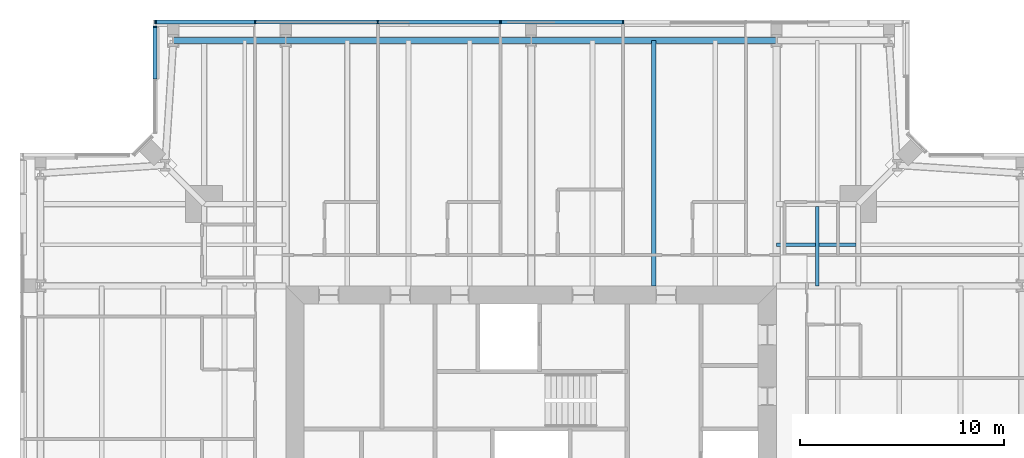
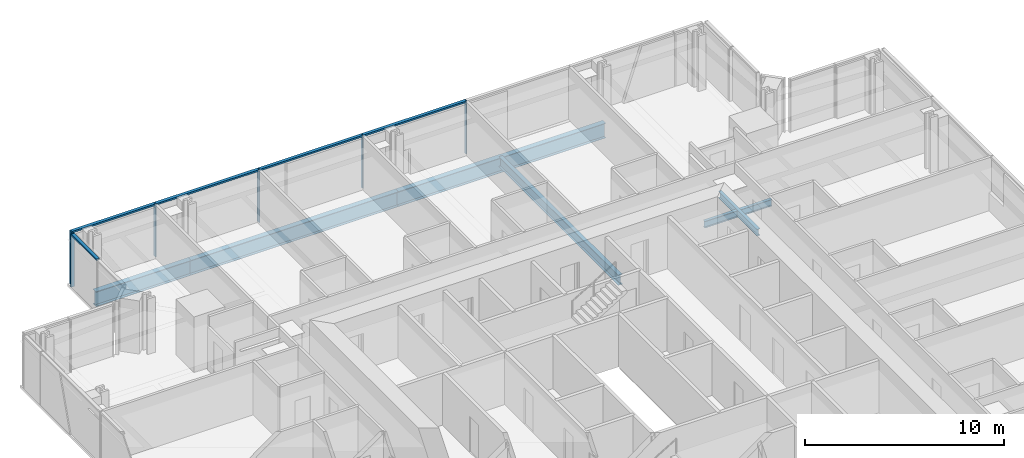
# One storey, part 8 of 20: 11 members, 7 beams, 2 elements without a shape of their own.
"""IFC4 building model written with IfcOpenShell, lengths in metres."""

from ifc_helpers import new_model, si_unit, direction, frame, origin, origin_2d, place, context, subcontext, project, spatial, rectangle, i_section, extrude, material, material_profile, profile_set, type_object, element, aggregate, save


model = new_model("IFC4")

# Units and contexts
model_context = context("Model", 3, precision=1e-05, world=origin(), true_north=direction((0.0, 1.0)))
body_context = subcontext(model_context, "Body", "Model", "MODEL_VIEW")
ifc_project = project(units=[si_unit("LENGTHUNIT", "METRE"), si_unit("AREAUNIT", "SQUARE_METRE"), si_unit("VOLUMEUNIT", "CUBIC_METRE"), si_unit("PLANEANGLEUNIT", "RADIAN"), si_unit("MASSUNIT", "GRAM", prefix="KILO")], contexts=[model_context])

# Site, building, storey
site_placement = place(None, origin())
site = spatial("IfcSite", under=ifc_project, at=site_placement, CompositionType="ELEMENT")
building_placement = place(site_placement, origin())
building = spatial("IfcBuilding", under=site, at=building_placement, Name="Fenwick Lantern Interchange", CompositionType="ELEMENT")
storey_placement = place(building_placement, frame((0.0, 0.0, 249.199951171875)))
storey = spatial("IfcBuildingStorey", under=building, at=storey_placement, Name="L58", CompositionType="ELEMENT", Elevation=249.199951171875)

# Beams
ifc_material_1 = material(Name="Steel ASTM A992 Grade 50", Category="steel")
ifc_material_profile_1 = material_profile(ifc_material_1, i_section(OverallWidth=0.3046875, OverallDepth=0.911865234375, WebThickness=0.015869140625, FlangeThickness=0.02392578125, at=origin_2d()), Name="W36X150")
ifc_profile_set_1 = profile_set([ifc_material_profile_1], Name="Steel ASTM A992 Grade 50")
beam_type_1 = type_object("IfcBeamType", Name="EDGE BEAM W36X150", PredefinedType="SPANDREL", material=ifc_profile_set_1)
for number, where, z_axis, x_axis, name in (
    (1, (37.0, 49.0, -0.60595703125), (-1.0, 0.0, 0.0), (0.0, -1.0, 0.0), "L58/FR/N/EB2"),
    (2, (25.0, 49.0, -0.60595703125), (-1.0, 0.0, 0.0), (0.0, -1.0, 0.0), "L58/FR/N/EB3"),
):
    element("IfcBeam", number, at=place(storey_placement, frame(where, z_axis=z_axis, x_axis=x_axis)), inside=storey, type_object=beam_type_1, Name=name, PredefinedType="SPANDREL", context=body_context, shape_type="SweptSolid", body=[
        extrude(i_section(OverallWidth=0.3046875, OverallDepth=0.911865234375, WebThickness=0.015869140625, FlangeThickness=0.02392578125, at=origin_2d()), origin(), (0.0, 0.0, 1.0), 12.0),
    ])
beam_1_placement = place(storey_placement, frame((13.0, 49.0, -0.60595703125), z_axis=(-1.0, 0.0, 0.0), x_axis=(0.0, -1.0, 0.0)))
element("IfcBeam", 3, at=beam_1_placement, inside=storey, type_object=beam_type_1, Name="L58/FR/N/EB4", PredefinedType="SPANDREL", context=body_context, shape_type="SweptSolid", body=[
    extrude(i_section(OverallWidth=0.3046875, OverallDepth=0.911865234375, WebThickness=0.015869140625, FlangeThickness=0.02392578125, at=origin_2d()), origin(), (0.0, 0.0, 1.0), 5.5),
])
ifc_material_profile_2 = material_profile(ifc_material_1, i_section(OverallWidth=0.22900390625, OverallDepth=0.612060546875, WebThickness=0.011962890625, FlangeThickness=0.01953125, at=origin_2d()), Name="W24X84")
ifc_profile_set_2 = profile_set([ifc_material_profile_2], Name="Steel ASTM A992 Grade 50")
beam_type_2 = type_object("IfcBeamType", Name="FLOOR BEAM W24X84", PredefinedType="BEAM", material=ifc_profile_set_2)
beam_2_placement = place(storey_placement, frame((31.0, 49.0, -0.4560546875), z_axis=(0.0, -1.0, 0.0), x_axis=(1.0, 0.0, 0.0)))
element("IfcBeam", 4, at=beam_2_placement, inside=storey, type_object=beam_type_2, Name="L58/FR/N/R03", PredefinedType="BEAM", context=body_context, shape_type="SweptSolid", body=[
    extrude(i_section(OverallWidth=0.22900390625, OverallDepth=0.612060546875, WebThickness=0.011962890625, FlangeThickness=0.01953125, at=origin_2d()), origin(), (0.0, 0.0, 1.0), 12.0),
])

# Curtain wall, members
ifc_material_2 = material(Name="Aluminium curtain wall frame", Category="aluminium")
curtain_wall_type = type_object("IfcCurtainWallType", Name="HOTEL CURTAIN WALL", PredefinedType="USERDEFINED", material=ifc_material_2)
curtain_wall_1_placement = place(storey_placement, origin())
curtain_wall_1 = element("IfcCurtainWall", 5, at=curtain_wall_1_placement, inside=storey, type_object=curtain_wall_type, Name="Hotel curtain wall 09", ObjectType="HOTEL CURTAIN WALL", PredefinedType="USERDEFINED")
ifc_material_3 = material(Name="Aluminium extrusion", Category="aluminium")
ifc_material_profile_3 = material_profile(ifc_material_3, rectangle(XDim=0.179931640625, YDim=0.06005859375, at=origin_2d()), Name="HOTEL CURTAIN WALL MULLION 60 X 180")
ifc_profile_set_3 = profile_set([ifc_material_profile_3], Name="Aluminium extrusion")
member_type_1 = type_object("IfcMemberType", Name="HOTEL CURTAIN WALL MULLION 60 X 180", PredefinedType="MULLION", material=ifc_profile_set_3)
member_1_placement = place(storey_placement, frame((29.5, 49.89990234375, 0.0), z_axis=(0.0, 0.0, 1.0), x_axis=(0.0, -1.0, 0.0)))
member_1 = element("IfcMember", 6, at=member_1_placement, type_object=member_type_1, Name="L58/CW/09/M03", PredefinedType="MULLION", context=body_context, shape_type="SweptSolid", body=[
    extrude(rectangle(XDim=0.179931640625, YDim=0.06005859375, at=origin_2d()), origin(), (0.0, 0.0, 1.0), 3.25),
])
member_2_placement = place(storey_placement, frame((23.5, 49.89990234375, 0.0), z_axis=(0.0, 0.0, 1.0), x_axis=(0.0, -1.0, 0.0)))
member_2 = element("IfcMember", 7, at=member_2_placement, type_object=member_type_1, Name="L58/CW/09/M04", PredefinedType="MULLION", context=body_context, shape_type="SweptSolid", body=[
    extrude(rectangle(XDim=0.179931640625, YDim=0.06005859375, at=origin_2d()), origin(), (0.0, 0.0, 1.0), 3.25),
])
member_3_placement = place(storey_placement, frame((17.5, 49.89990234375, 0.0), z_axis=(0.0, 0.0, 1.0), x_axis=(0.0, -1.0, 0.0)))
member_3 = element("IfcMember", 8, at=member_3_placement, type_object=member_type_1, Name="L58/CW/09/M05", PredefinedType="MULLION", context=body_context, shape_type="SweptSolid", body=[
    extrude(rectangle(XDim=0.179931640625, YDim=0.06005859375, at=origin_2d()), origin(), (0.0, 0.0, 1.0), 3.25),
])
member_4_placement = place(storey_placement, frame((11.5, 49.89990234375, 0.0), z_axis=(0.0, 0.0, 1.0), x_axis=(0.0, -1.0, 0.0)))
member_4 = element("IfcMember", 9, at=member_4_placement, type_object=member_type_1, Name="L58/CW/09/M06", PredefinedType="MULLION", context=body_context, shape_type="SweptSolid", body=[
    extrude(rectangle(XDim=0.179931640625, YDim=0.06005859375, at=origin_2d()), origin(), (0.0, 0.0, 1.0), 3.25),
])
member_5_placement = place(storey_placement, frame((6.6298828125, 49.89990234375, 0.0), z_axis=(0.0, 0.0, 1.0), x_axis=(0.0, -1.0, 0.0)))
member_5 = element("IfcMember", 10, at=member_5_placement, type_object=member_type_1, Name="L58/CW/09/M07", PredefinedType="MULLION", context=body_context, shape_type="SweptSolid", body=[
    extrude(rectangle(XDim=0.179931640625, YDim=0.06005859375, at=origin_2d()), origin(), (0.0, 0.0, 1.0), 3.25),
])

# Curtain wall, member
curtain_wall_2_placement = place(storey_placement, origin())
curtain_wall_2 = element("IfcCurtainWall", 11, at=curtain_wall_2_placement, inside=storey, type_object=curtain_wall_type, Name="Hotel curtain wall 10", ObjectType="HOTEL CURTAIN WALL", PredefinedType="USERDEFINED")
member_6_placement = place(storey_placement, frame((6.60009765625, 49.669921875, 0.0), z_axis=(0.0, 0.0, 1.0), x_axis=(1.0, 0.0, 0.0)))
member_6 = element("IfcMember", 12, at=member_6_placement, type_object=member_type_1, Name="L58/CW/10/M00", PredefinedType="MULLION", context=body_context, shape_type="SweptSolid", body=[
    extrude(rectangle(XDim=0.179931640625, YDim=0.06005859375, at=origin_2d()), origin(), (0.0, 0.0, 1.0), 3.25),
])

# Member
ifc_material_profile_4 = material_profile(ifc_material_3, rectangle(XDim=0.179931640625, YDim=0.10009765625, at=origin_2d()), Name="HOTEL CURTAIN WALL TRANSOM 100 X 180")
ifc_profile_set_4 = profile_set([ifc_material_profile_4], Name="Aluminium extrusion")
member_type_2 = type_object("IfcMemberType", Name="HOTEL CURTAIN WALL TRANSOM 100 X 180", PredefinedType="MULLION", material=ifc_profile_set_4)
member_7_placement = place(storey_placement, frame((29.469970703125, 49.89990234375, 3.199951171875), z_axis=(-1.0, 0.0, 0.0), x_axis=(0.0, -1.0, 0.0)))
member_7 = element("IfcMember", 13, at=member_7_placement, type_object=member_type_2, Name="L58/CW/09/T03", PredefinedType="MULLION", context=body_context, shape_type="SweptSolid", body=[
    extrude(rectangle(XDim=0.179931640625, YDim=0.10009765625, at=origin_2d()), origin(), (0.0, 0.0, 1.0), 5.93994140625),
])

member_8_placement = place(storey_placement, frame((23.469970703125, 49.89990234375, 3.199951171875), z_axis=(-1.0, 0.0, 0.0), x_axis=(0.0, -1.0, 0.0)))
member_8 = element("IfcMember", 14, at=member_8_placement, type_object=member_type_2, Name="L58/CW/09/T04", PredefinedType="MULLION", context=body_context, shape_type="SweptSolid", body=[
    extrude(rectangle(XDim=0.179931640625, YDim=0.10009765625, at=origin_2d()), origin(), (0.0, 0.0, 1.0), 5.93994140625),
])

member_9_placement = place(storey_placement, frame((17.469970703125, 49.89990234375, 3.199951171875), z_axis=(-1.0, 0.0, 0.0), x_axis=(0.0, -1.0, 0.0)))
member_9 = element("IfcMember", 15, at=member_9_placement, type_object=member_type_2, Name="L58/CW/09/T05", PredefinedType="MULLION", context=body_context, shape_type="SweptSolid", body=[
    extrude(rectangle(XDim=0.179931640625, YDim=0.10009765625, at=origin_2d()), origin(), (0.0, 0.0, 1.0), 5.93994140625),
])

member_10_placement = place(storey_placement, frame((11.469970703125, 49.89990234375, 3.199951171875), z_axis=(-1.0, 0.0, 0.0), x_axis=(0.0, -1.0, 0.0)))
member_10 = element("IfcMember", 16, at=member_10_placement, type_object=member_type_2, Name="L58/CW/09/T06", PredefinedType="MULLION", context=body_context, shape_type="SweptSolid", body=[
    extrude(rectangle(XDim=0.179931640625, YDim=0.10009765625, at=origin_2d()), origin(), (0.0, 0.0, 1.0), 4.81005859375),
])

aggregate(curtain_wall_1, [member_1, member_2, member_3, member_4, member_5, member_7, member_8, member_9, member_10])

member_11_placement = place(storey_placement, frame((6.60009765625, 49.639892578125, 3.199951171875), z_axis=(0.0, -1.0, 0.0), x_axis=(1.0, 0.0, 0.0)))
member_11 = element("IfcMember", 17, at=member_11_placement, type_object=member_type_2, Name="L58/CW/10/T00", PredefinedType="MULLION", context=body_context, shape_type="SweptSolid", body=[
    extrude(rectangle(XDim=0.179931640625, YDim=0.10009765625, at=origin_2d()), origin(), (0.0, 0.0, 1.0), 2.530517578125),
])

aggregate(curtain_wall_2, [member_6, member_11])

# Beams
ifc_material_profile_5 = material_profile(ifc_material_1, i_section(OverallWidth=0.177734375, OverallDepth=0.406494140625, WebThickness=0.0078125, FlangeThickness=0.012939453125, at=origin_2d()), Name="W16X40")
ifc_profile_set_5 = profile_set([ifc_material_profile_5], Name="Steel ASTM A992 Grade 50")
beam_type_3 = type_object("IfcBeamType", Name="INFILL BEAM W16X40", PredefinedType="JOIST", material=ifc_profile_set_5)
beam_3_placement = place(storey_placement, frame((39.0, 40.885498046875, -0.353271484375), z_axis=(0.0, -1.0, 0.0), x_axis=(1.0, 0.0, 0.0)))
element("IfcBeam", 18, at=beam_3_placement, inside=storey, type_object=beam_type_3, Name="L58/FR/N/J2", PredefinedType="JOIST", context=body_context, shape_type="SweptSolid", body=[
    extrude(i_section(OverallWidth=0.177734375, OverallDepth=0.406494140625, WebThickness=0.0078125, FlangeThickness=0.012939453125, at=origin_2d()), origin(), (0.0, 0.0, 1.0), 3.885498046875),
])
beam_4_placement = place(storey_placement, frame((40.885498046875, 39.0, -0.353271484375), z_axis=(-1.0, 0.0, 0.0), x_axis=(0.0, -1.0, 0.0)))
element("IfcBeam", 19, at=beam_4_placement, inside=storey, type_object=beam_type_3, Name="L58/FR/N/J4", PredefinedType="JOIST", context=body_context, shape_type="SweptSolid", body=[
    extrude(i_section(OverallWidth=0.177734375, OverallDepth=0.406494140625, WebThickness=0.0078125, FlangeThickness=0.012939453125, at=origin_2d()), origin(), (0.0, 0.0, 1.0), 1.796630859375),
])
beam_5_placement = place(storey_placement, frame((38.9111328125, 39.0, -0.353271484375), z_axis=(-1.0, 0.0, 0.0), x_axis=(0.0, -1.0, 0.0)))
element("IfcBeam", 20, at=beam_5_placement, inside=storey, type_object=beam_type_3, Name="L58/FR/N/J5", PredefinedType="JOIST", context=body_context, shape_type="SweptSolid", body=[
    extrude(i_section(OverallWidth=0.177734375, OverallDepth=0.406494140625, WebThickness=0.0078125, FlangeThickness=0.012939453125, at=origin_2d()), origin(), (0.0, 0.0, 1.0), 1.9111328125),
])

save(model, "model.ifc")
